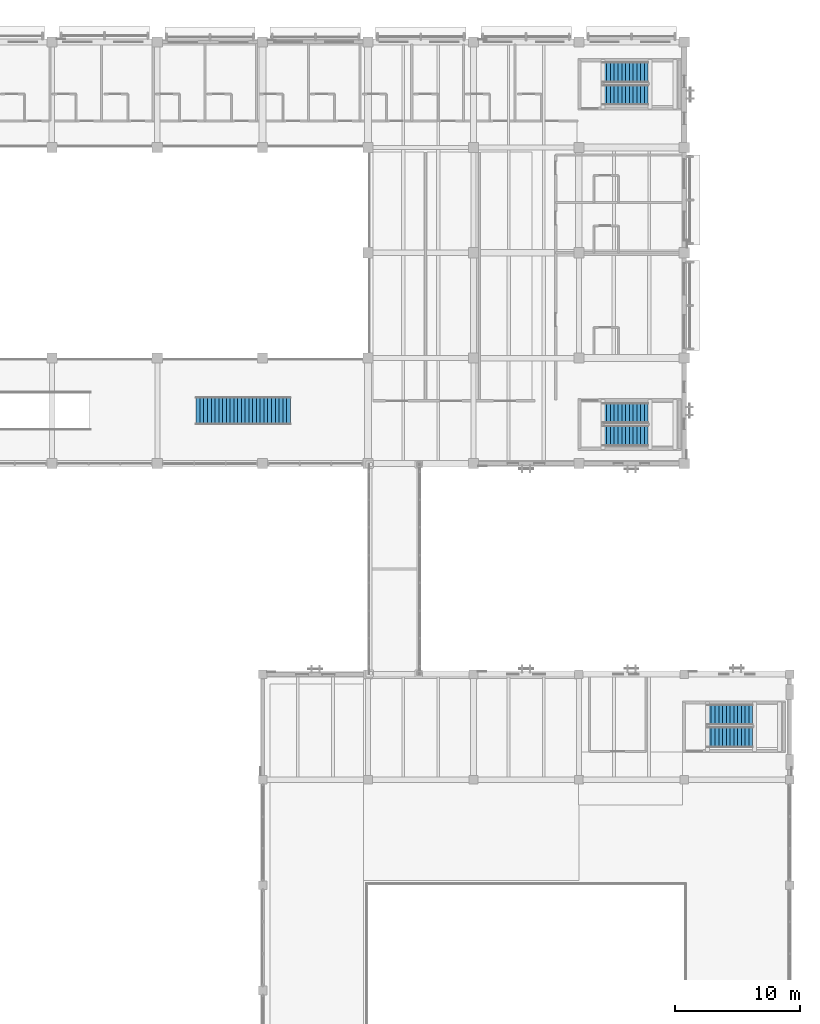
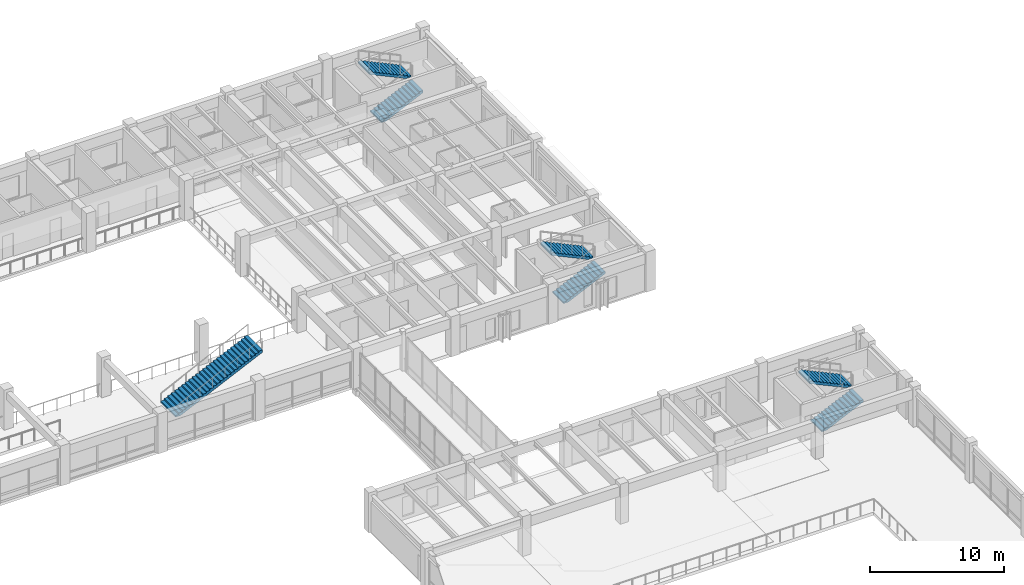
# One storey, part 85 of 118: 7 stair flights, 4 elements without a shape of their own.
"""IFC4 building model written with IfcOpenShell, lengths in metres."""

from ifc_helpers import new_model, si_unit, direction, frame, origin, place, context, subcontext, project, spatial, polyline, outline, extrude, material, type_object, element, aggregate, save


model = new_model("IFC4")

# Units and contexts
model_context = context("Model", 3, precision=1e-05, world=origin(), true_north=direction((0.0, 1.0)))
body_context = subcontext(model_context, "Body", "Model", "MODEL_VIEW")
ifc_project = project(units=[si_unit("LENGTHUNIT", "METRE"), si_unit("AREAUNIT", "SQUARE_METRE"), si_unit("VOLUMEUNIT", "CUBIC_METRE"), si_unit("PLANEANGLEUNIT", "RADIAN"), si_unit("MASSUNIT", "GRAM", prefix="KILO")], contexts=[model_context])

# Site, building, storey
site_placement = place(None, origin())
site = spatial("IfcSite", under=ifc_project, at=site_placement, CompositionType="ELEMENT")
building_placement = place(site_placement, origin())
building = spatial("IfcBuilding", under=site, at=building_placement, Name="Cumbredor Promenade Congress Hotel", CompositionType="ELEMENT")
storey_placement = place(building_placement, frame((0.0, 0.0, 3.919921875)))
storey = spatial("IfcBuildingStorey", under=building, at=storey_placement, Name="L01", CompositionType="ELEMENT", Elevation=3.919921875)

# Stair, stair flight
ifc_material = material(Name="Concrete C40/50", Category="concrete")
stair_type_1 = type_object("IfcStairType", Name="Ceremonial Atrium Straight Stair VM-T2 2200mm", PredefinedType="STRAIGHT_RUN_STAIR", material=ifc_material)
stair_1_placement = place(storey_placement, origin())
stair_1 = element("IfcStair", 1, at=stair_1_placement, inside=storey, type_object=stair_type_1, Name="Forum Atrium Ceremonial Stair Upper", PredefinedType="STRAIGHT_RUN_STAIR")
stair_flight_type_1 = type_object("IfcStairFlightType", Name="Ceremonial Stair Flight VFL-T2 2200mm", PredefinedType="STRAIGHT", material=ifc_material)
stair_flight_1_placement = place(storey_placement, frame((137.50390625, 88.199951171875, -0.0029296875), z_axis=(0.0, 0.0, 1.0), x_axis=(1.0, 0.0, 0.0)))
stair_flight_1 = element("IfcStairFlight", 2, at=stair_flight_1_placement, type_object=stair_flight_type_1, Name="Forum Atrium Ceremonial Stair Upper Flight", NumberOfRisers=26, NumberOfTreads=25, PredefinedType="STRAIGHT", RiserHeight=0.14, TreadLength=0.3, context=body_context, shape_type="SweptSolid", body=[
    extrude(outline(polyline([(0.0, 0.0), (0.0, 0.139892578125), (0.300048828125, 0.139892578125), (0.300048828125, 0.280029296875), (0.60009765625, 0.280029296875), (0.60009765625, 0.419921875), (0.89990234375, 0.419921875), (0.89990234375, 0.56005859375), (1.199951171875, 0.56005859375), (1.199951171875, 0.699951171875), (1.5, 0.699951171875), (1.5, 0.840087890625), (1.800048828125, 0.840087890625), (1.800048828125, 0.97998046875), (2.10009765625, 0.97998046875), (2.10009765625, 1.1201171875), (2.39990234375, 1.1201171875), (2.39990234375, 1.260009765625), (2.699951171875, 1.260009765625), (2.699951171875, 1.39990234375), (3.0, 1.39990234375), (3.0, 1.5400390625), (3.300048828125, 1.5400390625), (3.300048828125, 1.679931640625), (3.60009765625, 1.679931640625), (3.60009765625, 1.820068359375), (3.89990234375, 1.820068359375), (3.89990234375, 1.9599609375), (4.199951171875, 1.9599609375), (4.199951171875, 2.10009765625), (4.5, 2.10009765625), (4.5, 2.239990234375), (4.800048828125, 2.239990234375), (4.800048828125, 2.3798828125), (5.10009765625, 2.3798828125), (5.10009765625, 2.52001953125), (5.39990234375, 2.52001953125), (5.39990234375, 2.659912109375), (5.699951171875, 2.659912109375), (5.699951171875, 2.800048828125), (6.0, 2.800048828125), (6.0, 2.93994140625), (6.300048828125, 2.93994140625), (6.300048828125, 3.080078125), (6.60009765625, 3.080078125), (6.60009765625, 3.219970703125), (6.89990234375, 3.219970703125), (6.89990234375, 3.360107421875), (7.199951171875, 3.360107421875), (7.199951171875, 3.5), (7.5, 3.5), (7.5, 3.639892578125), (7.5, 3.279296875), (0.472900390625, 0.0), (0.0, 0.0)])), frame((0.0, 1.10009765625, 0.0), z_axis=(0.0, -1.0, 0.0), x_axis=(1.0, 0.0, 0.0)), (0.0, 0.0, 1.0), 2.199951171875),
])
aggregate(stair_1, [stair_flight_1])

# Stair, stair flights
stair_type_2 = type_object("IfcStairType", Name="Protected Dog-Leg Exit Stair ST-T3 1650mm", PredefinedType="HALF_TURN_STAIR", material=ifc_material)
stair_2_placement = place(storey_placement, origin())
stair_2 = element("IfcStair", 3, at=stair_2_placement, inside=storey, type_object=stair_type_2, Name="L01 Protected Exit Stair ST-10", PredefinedType="HALF_TURN_STAIR")
stair_flight_type_2 = type_object("IfcStairFlightType", Name="Concrete Stair Flight SFL-T3 1650mm", PredefinedType="STRAIGHT", material=ifc_material)
stair_flight_2_placement = place(storey_placement, frame((178.25, 62.175048828125, 0.0), z_axis=(0.0, 0.0, 1.0), x_axis=(1.0, 0.0, 0.0)))
stair_flight_2 = element("IfcStairFlight", 4, at=stair_flight_2_placement, type_object=stair_flight_type_2, Name="ST-10 flight 1", NumberOfRisers=13, NumberOfTreads=12, PredefinedType="STRAIGHT", RiserHeight=0.14, TreadLength=0.3, context=body_context, shape_type="SweptSolid", body=[
    extrude(outline(polyline([(0.0, 0.0), (0.0, 0.139892578125), (0.300048828125, 0.139892578125), (0.300048828125, 0.280029296875), (0.60009765625, 0.280029296875), (0.60009765625, 0.419921875), (0.89990234375, 0.419921875), (0.89990234375, 0.56005859375), (1.199951171875, 0.56005859375), (1.199951171875, 0.699951171875), (1.5, 0.699951171875), (1.5, 0.840087890625), (1.800048828125, 0.840087890625), (1.800048828125, 0.97998046875), (2.10009765625, 0.97998046875), (2.10009765625, 1.1201171875), (2.39990234375, 1.1201171875), (2.39990234375, 1.260009765625), (2.699951171875, 1.260009765625), (2.699951171875, 1.39990234375), (3.0, 1.39990234375), (3.0, 1.5400390625), (3.300048828125, 1.5400390625), (3.300048828125, 1.679931640625), (3.60009765625, 1.679931640625), (3.60009765625, 1.820068359375), (3.60009765625, 1.4814453125), (0.425537109375, 0.0), (0.0, 0.0)])), frame((0.0, 0.824951171875, 0.0), z_axis=(0.0, -1.0, 0.0), x_axis=(1.0, 0.0, 0.0)), (0.0, 0.0, 1.0), 1.64990234375),
])
stair_flight_3_placement = place(storey_placement, frame((181.85009765625, 63.97509765625, 1.820068359375), z_axis=(0.0, 0.0, 1.0), x_axis=(-1.0, 0.0, 0.0)))
stair_flight_3 = element("IfcStairFlight", 5, at=stair_flight_3_placement, type_object=stair_flight_type_2, Name="ST-10 flight 2", NumberOfRisers=13, NumberOfTreads=12, PredefinedType="STRAIGHT", RiserHeight=0.14, TreadLength=0.3, context=body_context, shape_type="SweptSolid", body=[
    extrude(outline(polyline([(0.0, 0.0), (0.0, 0.139892578125), (0.300048828125, 0.139892578125), (0.300048828125, 0.280029296875), (0.60009765625, 0.280029296875), (0.60009765625, 0.419921875), (0.89990234375, 0.419921875), (0.89990234375, 0.56005859375), (1.199951171875, 0.56005859375), (1.199951171875, 0.699951171875), (1.5, 0.699951171875), (1.5, 0.840087890625), (1.800048828125, 0.840087890625), (1.800048828125, 0.97998046875), (2.10009765625, 0.97998046875), (2.10009765625, 1.1201171875), (2.39990234375, 1.1201171875), (2.39990234375, 1.260009765625), (2.699951171875, 1.260009765625), (2.699951171875, 1.39990234375), (3.0, 1.39990234375), (3.0, 1.5400390625), (3.300048828125, 1.5400390625), (3.300048828125, 1.679931640625), (3.60009765625, 1.679931640625), (3.60009765625, 1.820068359375), (3.60009765625, 1.4814453125), (0.425537109375, 0.0), (0.0, 0.0)])), frame((0.0, 0.824951171875, 0.0), z_axis=(0.0, -1.0, 0.0), x_axis=(1.0, 0.0, 0.0)), (0.0, 0.0, 1.0), 1.64990234375),
])
aggregate(stair_2, [stair_flight_2, stair_flight_3])

stair_3_placement = place(storey_placement, origin())
stair_3 = element("IfcStair", 6, at=stair_3_placement, inside=storey, type_object=stair_type_2, Name="L01 Protected Exit Stair ST-14", PredefinedType="HALF_TURN_STAIR")
stair_flight_4_placement = place(storey_placement, frame((169.919921875, 86.22509765625, 0.0), z_axis=(0.0, 0.0, 1.0), x_axis=(1.0, 0.0, 0.0)))
stair_flight_4 = element("IfcStairFlight", 7, at=stair_flight_4_placement, type_object=stair_flight_type_2, Name="ST-14 flight 1", NumberOfRisers=13, NumberOfTreads=12, PredefinedType="STRAIGHT", RiserHeight=0.14, TreadLength=0.3, context=body_context, shape_type="SweptSolid", body=[
    extrude(outline(polyline([(0.0, 0.0), (0.0, 0.139892578125), (0.300048828125, 0.139892578125), (0.300048828125, 0.280029296875), (0.60009765625, 0.280029296875), (0.60009765625, 0.419921875), (0.89990234375, 0.419921875), (0.89990234375, 0.56005859375), (1.199951171875, 0.56005859375), (1.199951171875, 0.699951171875), (1.5, 0.699951171875), (1.5, 0.840087890625), (1.800048828125, 0.840087890625), (1.800048828125, 0.97998046875), (2.10009765625, 0.97998046875), (2.10009765625, 1.1201171875), (2.39990234375, 1.1201171875), (2.39990234375, 1.260009765625), (2.699951171875, 1.260009765625), (2.699951171875, 1.39990234375), (3.0, 1.39990234375), (3.0, 1.5400390625), (3.300048828125, 1.5400390625), (3.300048828125, 1.679931640625), (3.60009765625, 1.679931640625), (3.60009765625, 1.820068359375), (3.60009765625, 1.4814453125), (0.425537109375, 0.0), (0.0, 0.0)])), frame((0.0, 0.824951171875, 0.0), z_axis=(0.0, -1.0, 0.0), x_axis=(1.0, 0.0, 0.0)), (0.0, 0.0, 1.0), 1.64990234375),
])
stair_flight_5_placement = place(storey_placement, frame((173.52001953125, 88.02490234375, 1.820068359375), z_axis=(0.0, 0.0, 1.0), x_axis=(-1.0, 0.0, 0.0)))
stair_flight_5 = element("IfcStairFlight", 8, at=stair_flight_5_placement, type_object=stair_flight_type_2, Name="ST-14 flight 2", NumberOfRisers=13, NumberOfTreads=12, PredefinedType="STRAIGHT", RiserHeight=0.14, TreadLength=0.3, context=body_context, shape_type="SweptSolid", body=[
    extrude(outline(polyline([(0.0, 0.0), (0.0, 0.139892578125), (0.300048828125, 0.139892578125), (0.300048828125, 0.280029296875), (0.60009765625, 0.280029296875), (0.60009765625, 0.419921875), (0.89990234375, 0.419921875), (0.89990234375, 0.56005859375), (1.199951171875, 0.56005859375), (1.199951171875, 0.699951171875), (1.5, 0.699951171875), (1.5, 0.840087890625), (1.800048828125, 0.840087890625), (1.800048828125, 0.97998046875), (2.10009765625, 0.97998046875), (2.10009765625, 1.1201171875), (2.39990234375, 1.1201171875), (2.39990234375, 1.260009765625), (2.699951171875, 1.260009765625), (2.699951171875, 1.39990234375), (3.0, 1.39990234375), (3.0, 1.5400390625), (3.300048828125, 1.5400390625), (3.300048828125, 1.679931640625), (3.60009765625, 1.679931640625), (3.60009765625, 1.820068359375), (3.60009765625, 1.4814453125), (0.425537109375, 0.0), (0.0, 0.0)])), frame((0.0, 0.824951171875, 0.0), z_axis=(0.0, -1.0, 0.0), x_axis=(1.0, 0.0, 0.0)), (0.0, 0.0, 1.0), 1.64990234375),
])
aggregate(stair_3, [stair_flight_4, stair_flight_5])

stair_4_placement = place(storey_placement, origin())
stair_4 = element("IfcStair", 9, at=stair_4_placement, inside=storey, type_object=stair_type_2, Name="L01 Protected Exit Stair ST-16", PredefinedType="HALF_TURN_STAIR")
stair_flight_6_placement = place(storey_placement, frame((169.919921875, 113.375, 0.0), z_axis=(0.0, 0.0, 1.0), x_axis=(1.0, 0.0, 0.0)))
stair_flight_6 = element("IfcStairFlight", 10, at=stair_flight_6_placement, type_object=stair_flight_type_2, Name="ST-16 flight 1", NumberOfRisers=13, NumberOfTreads=12, PredefinedType="STRAIGHT", RiserHeight=0.14, TreadLength=0.3, context=body_context, shape_type="SweptSolid", body=[
    extrude(outline(polyline([(0.0, 0.0), (0.0, 0.139892578125), (0.300048828125, 0.139892578125), (0.300048828125, 0.280029296875), (0.60009765625, 0.280029296875), (0.60009765625, 0.419921875), (0.89990234375, 0.419921875), (0.89990234375, 0.56005859375), (1.199951171875, 0.56005859375), (1.199951171875, 0.699951171875), (1.5, 0.699951171875), (1.5, 0.840087890625), (1.800048828125, 0.840087890625), (1.800048828125, 0.97998046875), (2.10009765625, 0.97998046875), (2.10009765625, 1.1201171875), (2.39990234375, 1.1201171875), (2.39990234375, 1.260009765625), (2.699951171875, 1.260009765625), (2.699951171875, 1.39990234375), (3.0, 1.39990234375), (3.0, 1.5400390625), (3.300048828125, 1.5400390625), (3.300048828125, 1.679931640625), (3.60009765625, 1.679931640625), (3.60009765625, 1.820068359375), (3.60009765625, 1.4814453125), (0.425537109375, 0.0), (0.0, 0.0)])), frame((0.0, 0.824951171875, 0.0), z_axis=(0.0, -1.0, 0.0), x_axis=(1.0, 0.0, 0.0)), (0.0, 0.0, 1.0), 1.64990234375),
])
stair_flight_7_placement = place(storey_placement, frame((173.52001953125, 115.175048828125, 1.820068359375), z_axis=(0.0, 0.0, 1.0), x_axis=(-1.0, 0.0, 0.0)))
stair_flight_7 = element("IfcStairFlight", 11, at=stair_flight_7_placement, type_object=stair_flight_type_2, Name="ST-16 flight 2", NumberOfRisers=13, NumberOfTreads=12, PredefinedType="STRAIGHT", RiserHeight=0.14, TreadLength=0.3, context=body_context, shape_type="SweptSolid", body=[
    extrude(outline(polyline([(0.0, 0.0), (0.0, 0.139892578125), (0.300048828125, 0.139892578125), (0.300048828125, 0.280029296875), (0.60009765625, 0.280029296875), (0.60009765625, 0.419921875), (0.89990234375, 0.419921875), (0.89990234375, 0.56005859375), (1.199951171875, 0.56005859375), (1.199951171875, 0.699951171875), (1.5, 0.699951171875), (1.5, 0.840087890625), (1.800048828125, 0.840087890625), (1.800048828125, 0.97998046875), (2.10009765625, 0.97998046875), (2.10009765625, 1.1201171875), (2.39990234375, 1.1201171875), (2.39990234375, 1.260009765625), (2.699951171875, 1.260009765625), (2.699951171875, 1.39990234375), (3.0, 1.39990234375), (3.0, 1.5400390625), (3.300048828125, 1.5400390625), (3.300048828125, 1.679931640625), (3.60009765625, 1.679931640625), (3.60009765625, 1.820068359375), (3.60009765625, 1.4814453125), (0.425537109375, 0.0), (0.0, 0.0)])), frame((0.0, 0.824951171875, 0.0), z_axis=(0.0, -1.0, 0.0), x_axis=(1.0, 0.0, 0.0)), (0.0, 0.0, 1.0), 1.64990234375),
])
aggregate(stair_4, [stair_flight_6, stair_flight_7])

save(model, "model.ifc")
